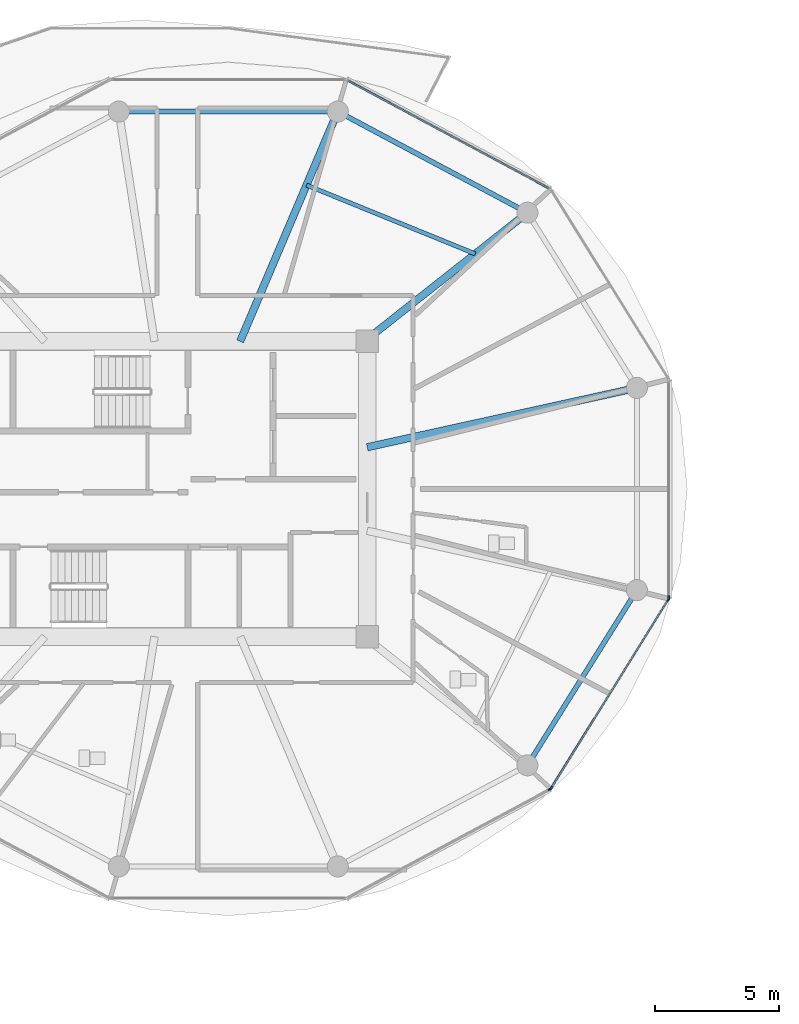
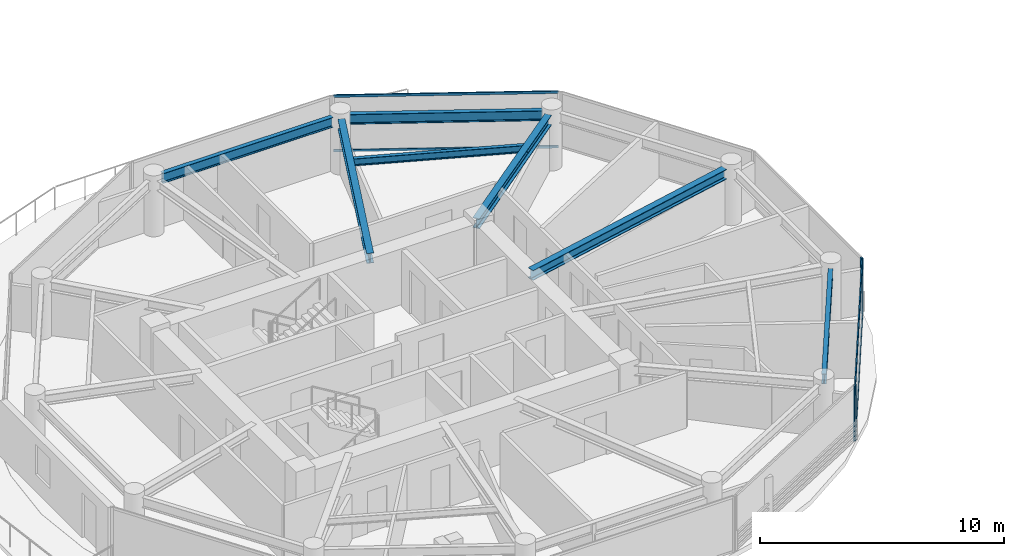
# One storey, part 5 of 25: 8 members, 7 beams, 4 elements without a shape of their own.
"""IFC4 building model written with IfcOpenShell, lengths in metres."""

from ifc_helpers import new_model, si_unit, direction, frame, origin, origin_2d, place, context, subcontext, project, spatial, rectangle, i_section, extrude, source, transform, mapped, material, layer, layer_set, material_profile, profile_set, type_object, type_shapes, element, aggregate, save


model = new_model("IFC4")

# Units and contexts
model_context = context("Model", 3, precision=1e-05, world=origin(), true_north=direction((0.0, 1.0)))
body_context = subcontext(model_context, "Body", "Model", "MODEL_VIEW")
ifc_project = project(units=[si_unit("LENGTHUNIT", "METRE"), si_unit("AREAUNIT", "SQUARE_METRE"), si_unit("VOLUMEUNIT", "CUBIC_METRE"), si_unit("PLANEANGLEUNIT", "RADIAN"), si_unit("MASSUNIT", "GRAM", prefix="KILO")], contexts=[model_context])

# Site, building, storey
site_placement = place(None, origin())
site = spatial("IfcSite", under=ifc_project, at=site_placement, CompositionType="ELEMENT")
building_placement = place(site_placement, origin())
building = spatial("IfcBuilding", under=site, at=building_placement, Name="Norrkilde Senior Care Towers", CompositionType="ELEMENT")
storey_placement = place(building_placement, frame((0.0, 0.0, 84.050048828125)))
storey = spatial("IfcBuildingStorey", under=building, at=storey_placement, Name="L25", CompositionType="ELEMENT", Elevation=84.050048828125)

# Beams
ifc_material_1 = material(Name="Steel S355", Category="steel")
ifc_material_profile_1 = material_profile(ifc_material_1, i_section(OverallWidth=0.199951171875, OverallDepth=0.5, WebThickness=0.01025390625, FlangeThickness=0.01611328125, FilletRadius=0.02099609375, at=origin_2d()), Name="IPE 500")
ifc_profile_set_1 = profile_set([ifc_material_profile_1], Name="Steel S355")
beam_type_1 = type_object("IfcBeamType", Name="Perimeter Ring Spandrel Z2 IPE500", PredefinedType="SPANDREL", material=ifc_profile_set_1)
shared_shape_1 = source(origin(), body_context, "Body", "SweptSolid", [
    extrude(i_section(OverallWidth=0.199951171875, OverallDepth=0.5, WebThickness=0.01025390625, FlangeThickness=0.01611328125, FilletRadius=0.02099609375, at=origin_2d()), origin(), (0.0, 0.0, 1.0), 7.55615234375),
])
beam_1_placement = place(storey_placement, frame((-13.689697265625, -10.810546875, 2.5400390625), z_axis=(0.529981514254, 0.848009194849, 0.0), x_axis=(-0.848009194849, 0.529981514254, 0.0)))
element("IfcBeam", 1, at=beam_1_placement, inside=storey, type_object=beam_type_1, Name="L25 Drum W Perimeter Spandrel 11", PredefinedType="SPANDREL", context=body_context, shape_type="MappedRepresentation", body=[
    mapped(shared_shape_1, transform((0.0, 0.0, 0.0), x_axis=(1.0, 0.0, 0.0), y_axis=(0.0, 1.0, 0.0), z_axis=(0.0, 0.0, 1.0), scale=1.0)),
])
ifc_material_profile_2 = material_profile(ifc_material_1, i_section(OverallWidth=0.300048828125, OverallDepth=0.5, WebThickness=0.014404296875, FlangeThickness=0.028076171875, FilletRadius=0.027099609375, at=origin_2d()), Name="HEB 500")
ifc_profile_set_2 = profile_set([ifc_material_profile_2], Name="Steel S355")
beam_type_2 = type_object("IfcBeamType", Name="Radial Floor Beam Z2 HEB500", PredefinedType="BEAM", material=ifc_profile_set_2)
shared_shape_2 = source(origin(), body_context, "Body", "SweptSolid", [
    extrude(i_section(OverallWidth=0.300048828125, OverallDepth=0.5, WebThickness=0.014404296875, FlangeThickness=0.028076171875, FilletRadius=0.027099609375, at=origin_2d()), origin(), (0.0, 0.0, 1.0), 10.744384765625),
])
beam_2_placement = place(storey_placement, frame((-20.35009765625, 1.683837890625, 2.5400390625), z_axis=(0.976618711422, 0.214978818724, 0.0), x_axis=(-0.214978818724, 0.976618711422, 0.0)))
element("IfcBeam", 2, at=beam_2_placement, inside=storey, type_object=beam_type_2, Name="L25 Drum W Radial Floor Beam 01", PredefinedType="BEAM", context=body_context, shape_type="MappedRepresentation", body=[
    mapped(shared_shape_2, transform((0.0, 0.0, 0.0), x_axis=(1.0, 0.0, 0.0), y_axis=(0.0, 1.0, 0.0), z_axis=(0.0, 0.0, 1.0), scale=1.0)),
])
shared_shape_3 = source(origin(), body_context, "Body", "SweptSolid", [
    extrude(i_section(OverallWidth=0.199951171875, OverallDepth=0.5, WebThickness=0.01025390625, FlangeThickness=0.01611328125, FilletRadius=0.02099609375, at=origin_2d()), origin(), (0.0, 0.0, 1.0), 7.892333984375),
])
beam_3_placement = place(storey_placement, frame((-14.233642578125, 11.318115234375, 2.5400390625), z_axis=(-0.882350372282, 0.47059305194, 0.0), x_axis=(-0.47059305194, -0.882350372282, 0.0)))
element("IfcBeam", 3, at=beam_3_placement, inside=storey, type_object=beam_type_1, Name="L25 Drum W Perimeter Spandrel 02", PredefinedType="SPANDREL", context=body_context, shape_type="MappedRepresentation", body=[
    mapped(shared_shape_3, transform((0.0, 0.0, 0.0), x_axis=(1.0, 0.0, 0.0), y_axis=(0.0, 1.0, 0.0), z_axis=(0.0, 0.0, 1.0), scale=1.0)),
])
shared_shape_4 = source(origin(), body_context, "Body", "SweptSolid", [
    extrude(i_section(OverallWidth=0.300048828125, OverallDepth=0.5, WebThickness=0.014404296875, FlangeThickness=0.028076171875, FilletRadius=0.027099609375, at=origin_2d()), origin(), (0.0, 0.0, 1.0), 7.985595703125),
])
beam_4_placement = place(storey_placement, frame((-20.463623046875, 5.949951171875, 2.5400390625), z_axis=(0.784858505144, 0.619675017169, 0.0), x_axis=(-0.619675017169, 0.784858505144, 0.0)))
element("IfcBeam", 4, at=beam_4_placement, inside=storey, type_object=beam_type_2, Name="L25 Drum W Radial Floor Beam 02", PredefinedType="BEAM", context=body_context, shape_type="MappedRepresentation", body=[
    mapped(shared_shape_4, transform((0.0, 0.0, 0.0), x_axis=(1.0, 0.0, 0.0), y_axis=(0.0, 1.0, 0.0), z_axis=(0.0, 0.0, 1.0), scale=1.0)),
])
shared_shape_5 = source(origin(), body_context, "Body", "SweptSolid", [
    extrude(i_section(OverallWidth=0.199951171875, OverallDepth=0.5, WebThickness=0.01025390625, FlangeThickness=0.01611328125, FilletRadius=0.02099609375, at=origin_2d()), origin(), (0.0, 0.0, 1.0), 8.0556640625),
])
type_shapes(beam_type_1, [shared_shape_1, shared_shape_3, shared_shape_5])
beam_5_placement = place(storey_placement, frame((-21.922119140625, 15.21337890625, 2.5400390625), z_axis=(-1.0, 0.0, 0.0), x_axis=(0.0, -1.0, 0.0)))
element("IfcBeam", 5, at=beam_5_placement, inside=storey, type_object=beam_type_1, Name="L25 Drum W Perimeter Spandrel 03", PredefinedType="SPANDREL", context=body_context, shape_type="MappedRepresentation", body=[
    mapped(shared_shape_5, transform((0.0, 0.0, 0.0), x_axis=(1.0, 0.0, 0.0), y_axis=(0.0, 1.0, 0.0), z_axis=(0.0, 0.0, 1.0), scale=1.0)),
])
shared_shape_6 = source(origin(), body_context, "Body", "SweptSolid", [
    extrude(i_section(OverallWidth=0.300048828125, OverallDepth=0.5, WebThickness=0.014404296875, FlangeThickness=0.028076171875, FilletRadius=0.027099609375, at=origin_2d()), origin(), (0.0, 0.0, 1.0), 9.679443359375),
])
type_shapes(beam_type_2, [shared_shape_2, shared_shape_4, shared_shape_6])
beam_6_placement = place(storey_placement, frame((-25.472412109375, 5.949951171875, 2.5400390625), z_axis=(0.390998033479, 0.920391513333, 0.0), x_axis=(-0.920391513333, 0.390998033479, 0.0)))
element("IfcBeam", 6, at=beam_6_placement, inside=storey, type_object=beam_type_2, Name="L25 Drum W Radial Floor Beam 03", PredefinedType="BEAM", context=body_context, shape_type="MappedRepresentation", body=[
    mapped(shared_shape_6, transform((0.0, 0.0, 0.0), x_axis=(1.0, 0.0, 0.0), y_axis=(0.0, 1.0, 0.0), z_axis=(0.0, 0.0, 1.0), scale=1.0)),
])
ifc_material_profile_3 = material_profile(ifc_material_1, i_section(OverallWidth=0.169921875, OverallDepth=0.360107421875, WebThickness=0.008056640625, FlangeThickness=0.0126953125, FilletRadius=0.01806640625, at=origin_2d()), Name="IPE 360")
ifc_profile_set_3 = profile_set([ifc_material_profile_3], Name="Steel S355")
beam_type_3 = type_object("IfcBeamType", Name="Secondary Floor Joist IPE360", PredefinedType="JOIST", material=ifc_profile_set_3)
shared_shape_7 = source(origin(), body_context, "Body", "SweptSolid", [
    extrude(i_section(OverallWidth=0.169921875, OverallDepth=0.360107421875, WebThickness=0.008056640625, FlangeThickness=0.0126953125, FilletRadius=0.01806640625, at=origin_2d()), origin(), (0.0, 0.0, 1.0), 7.343505859375),
])
type_shapes(beam_type_3, [shared_shape_7])
beam_7_placement = place(storey_placement, frame((-15.99609375, 9.47705078125, 2.60986328125), z_axis=(-0.926021784767, 0.377470070519, 0.0), x_axis=(-0.377470070519, -0.926021784767, 0.0)))
element("IfcBeam", 7, at=beam_7_placement, inside=storey, type_object=beam_type_3, Name="L25 Drum W Secondary Floor Joist 1", PredefinedType="JOIST", context=body_context, shape_type="MappedRepresentation", body=[
    mapped(shared_shape_7, transform((0.0, 0.0, 0.0), x_axis=(1.0, 0.0, 0.0), y_axis=(0.0, 1.0, 0.0), z_axis=(0.0, 0.0, 1.0), scale=1.0)),
])

# Curtain wall, member
ifc_material_2 = material(Name="Triple Low-E Insulated Glazing", Category="glass")
ifc_layer = layer(ifc_material_2, 0.195068359375)
ifc_layer_set = layer_set([ifc_layer], Name="Triple Low-E Insulated Glazing")
curtain_wall_type = type_object("IfcCurtainWallType", Name="CW3 Zone 2 Assisted Living Curtain Wall", PredefinedType="NOTDEFINED", material=ifc_layer_set)
curtain_wall_1_placement = place(storey_placement, origin())
curtain_wall_1 = element("IfcCurtainWall", 8, at=curtain_wall_1_placement, inside=storey, type_object=curtain_wall_type, Name="L25 Drum W Curtain Wall 09", PredefinedType="NOTDEFINED")
ifc_material_3 = material(Name="Anodised Aluminium", Category="aluminium")
ifc_material_profile_4 = material_profile(ifc_material_3, rectangle(XDim=0.06494140625, YDim=0.159912109375, at=origin_2d()), Name="ALU MULL 65x160")
ifc_profile_set_4 = profile_set([ifc_material_profile_4], Name="Anodised Aluminium")
member_type_1 = type_object("IfcMemberType", Name="Curtain Wall Mullion Z1-Z2 65x160", PredefinedType="MULLION", material=ifc_profile_set_4)
shared_shape_8 = source(origin(), body_context, "Body", "SweptSolid", [
    extrude(rectangle(XDim=0.06494140625, YDim=0.159912109375, at=origin_2d()), origin(), (0.0, 0.0, 1.0), 2.7900390625),
])
type_shapes(member_type_1, [shared_shape_8])
member_1_placement = place(storey_placement, frame((-12.98193359375, -12.0927734375, 0.0), z_axis=(0.0, 0.0, 1.0), x_axis=(0.472769402511, -0.881186184668, 0.0)))
member_1 = element("IfcMember", 9, at=member_1_placement, type_object=member_type_1, Name="CW-3 mullion 1", PredefinedType="MULLION", context=body_context, shape_type="MappedRepresentation", body=[
    mapped(shared_shape_8, transform((0.0, 0.0, 0.0), x_axis=(1.0, 0.0, 0.0), y_axis=(0.0, 1.0, 0.0), z_axis=(0.0, 0.0, 1.0), scale=1.0)),
])
aggregate(curtain_wall_1, [member_1])

# Curtain wall, members
curtain_wall_2_placement = place(storey_placement, origin())
curtain_wall_2 = element("IfcCurtainWall", 10, at=curtain_wall_2_placement, inside=storey, type_object=curtain_wall_type, Name="L25 Drum W Curtain Wall 10", PredefinedType="NOTDEFINED")
member_2_placement = place(storey_placement, frame((-8.21337890625, -4.4482421875, 0.0), z_axis=(0.0, 0.0, 1.0), x_axis=(0.849410171862, -0.527733228002, 0.0)))
member_2 = element("IfcMember", 11, at=member_2_placement, type_object=member_type_1, Name="CW-3 mullion 1", PredefinedType="MULLION", context=body_context, shape_type="MappedRepresentation", body=[
    mapped(shared_shape_8, transform((0.0, 0.0, 0.0), x_axis=(1.0, 0.0, 0.0), y_axis=(0.0, 1.0, 0.0), z_axis=(0.0, 0.0, 1.0), scale=1.0)),
])
member_3_placement = place(storey_placement, frame((-12.936279296875, -12.0498046875, 0.0), z_axis=(0.0, 0.0, 1.0), x_axis=(0.849410171862, -0.527733228002, 0.0)))
member_3 = element("IfcMember", 12, at=member_3_placement, type_object=member_type_1, Name="CW-3 mullion 2", PredefinedType="MULLION", context=body_context, shape_type="MappedRepresentation", body=[
    mapped(shared_shape_8, transform((0.0, 0.0, 0.0), x_axis=(1.0, 0.0, 0.0), y_axis=(0.0, 1.0, 0.0), z_axis=(0.0, 0.0, 1.0), scale=1.0)),
])

# Curtain wall, member
curtain_wall_3_placement = place(storey_placement, origin())
curtain_wall_3 = element("IfcCurtainWall", 13, at=curtain_wall_3_placement, inside=storey, type_object=curtain_wall_type, Name="L25 Drum W Curtain Wall 11", PredefinedType="NOTDEFINED")
member_4_placement = place(storey_placement, frame((-8.1962890625, -4.38818359375, 0.0), z_axis=(0.0, 0.0, 1.0), x_axis=(1.0, 0.0, 0.0)))
member_4 = element("IfcMember", 14, at=member_4_placement, type_object=member_type_1, Name="CW-3 mullion 2", PredefinedType="MULLION", context=body_context, shape_type="MappedRepresentation", body=[
    mapped(shared_shape_8, transform((0.0, 0.0, 0.0), x_axis=(1.0, 0.0, 0.0), y_axis=(0.0, 1.0, 0.0), z_axis=(0.0, 0.0, 1.0), scale=1.0)),
])
aggregate(curtain_wall_3, [member_4])

# Member
ifc_material_profile_5 = material_profile(ifc_material_3, rectangle(XDim=0.06005859375, YDim=0.1201171875, at=origin_2d()), Name="ALU TRAN 60x120")
ifc_profile_set_5 = profile_set([ifc_material_profile_5], Name="Anodised Aluminium")
member_type_2 = type_object("IfcMemberType", Name="Curtain Wall Transom Typical 60x120", PredefinedType="USERDEFINED", material=ifc_profile_set_5)
shared_shape_9 = source(origin(), body_context, "Body", "SweptSolid", [
    extrude(rectangle(XDim=0.06005859375, YDim=0.1201171875, at=origin_2d()), origin(), (0.0, 0.0, 1.0), 8.88427734375),
])
member_5_placement = place(storey_placement, frame((-8.23046875, -4.475830078125, 0.030029296875), z_axis=(-0.527749293309, -0.849400190377, 0.0), x_axis=(0.849400190377, -0.527749293309, 0.0)))
member_5 = element("IfcMember", 15, at=member_5_placement, type_object=member_type_2, Name="CW-3 transom 1.1", ObjectType="TRANSOM", PredefinedType="USERDEFINED", context=body_context, shape_type="MappedRepresentation", body=[
    mapped(shared_shape_9, transform((0.0, 0.0, 0.0), x_axis=(1.0, 0.0, 0.0), y_axis=(0.0, 1.0, 0.0), z_axis=(0.0, 0.0, 1.0), scale=1.0)),
])

member_6_placement = place(storey_placement, frame((-8.23046875, -4.475830078125, 2.760009765625), z_axis=(-0.527749293309, -0.849400190377, 0.0), x_axis=(0.849400190377, -0.527749293309, 0.0)))
member_6 = element("IfcMember", 16, at=member_6_placement, type_object=member_type_2, Name="CW-3 transom 1.2", ObjectType="TRANSOM", PredefinedType="USERDEFINED", context=body_context, shape_type="MappedRepresentation", body=[
    mapped(shared_shape_9, transform((0.0, 0.0, 0.0), x_axis=(1.0, 0.0, 0.0), y_axis=(0.0, 1.0, 0.0), z_axis=(0.0, 0.0, 1.0), scale=1.0)),
])

aggregate(curtain_wall_2, [member_2, member_3, member_5, member_6])

# Curtain wall, members
curtain_wall_4_placement = place(storey_placement, origin())
curtain_wall_4 = element("IfcCurtainWall", 17, at=curtain_wall_4_placement, inside=storey, type_object=curtain_wall_type, Name="L25 Drum W Curtain Wall 01", PredefinedType="NOTDEFINED")
shared_shape_10 = source(origin(), body_context, "Body", "SweptSolid", [
    extrude(rectangle(XDim=0.06005859375, YDim=0.1201171875, at=origin_2d()), origin(), (0.0, 0.0, 1.0), 9.220458984375),
])
type_shapes(member_type_2, [shared_shape_9, shared_shape_10])
member_7_placement = place(storey_placement, frame((-21.1357421875, 16.46728515625, 0.030029296875), z_axis=(0.881188517866, -0.472765053681, 0.0), x_axis=(0.472765053681, 0.881188517866, 0.0)))
member_7 = element("IfcMember", 18, at=member_7_placement, type_object=member_type_2, Name="CW-3 transom 1.1", ObjectType="TRANSOM", PredefinedType="USERDEFINED", context=body_context, shape_type="MappedRepresentation", body=[
    mapped(shared_shape_10, transform((0.0, 0.0, 0.0), x_axis=(1.0, 0.0, 0.0), y_axis=(0.0, 1.0, 0.0), z_axis=(0.0, 0.0, 1.0), scale=1.0)),
])
member_8_placement = place(storey_placement, frame((-21.1357421875, 16.46728515625, 2.760009765625), z_axis=(0.881188517866, -0.472765053681, 0.0), x_axis=(0.472765053681, 0.881188517866, 0.0)))
member_8 = element("IfcMember", 19, at=member_8_placement, type_object=member_type_2, Name="CW-3 transom 1.2", ObjectType="TRANSOM", PredefinedType="USERDEFINED", context=body_context, shape_type="MappedRepresentation", body=[
    mapped(shared_shape_10, transform((0.0, 0.0, 0.0), x_axis=(1.0, 0.0, 0.0), y_axis=(0.0, 1.0, 0.0), z_axis=(0.0, 0.0, 1.0), scale=1.0)),
])
aggregate(curtain_wall_4, [member_7, member_8])

save(model, "model.ifc")
